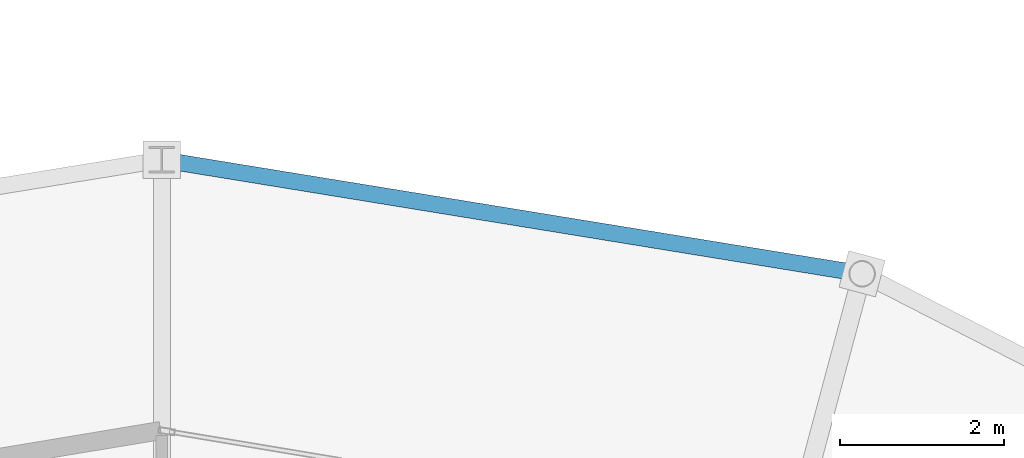
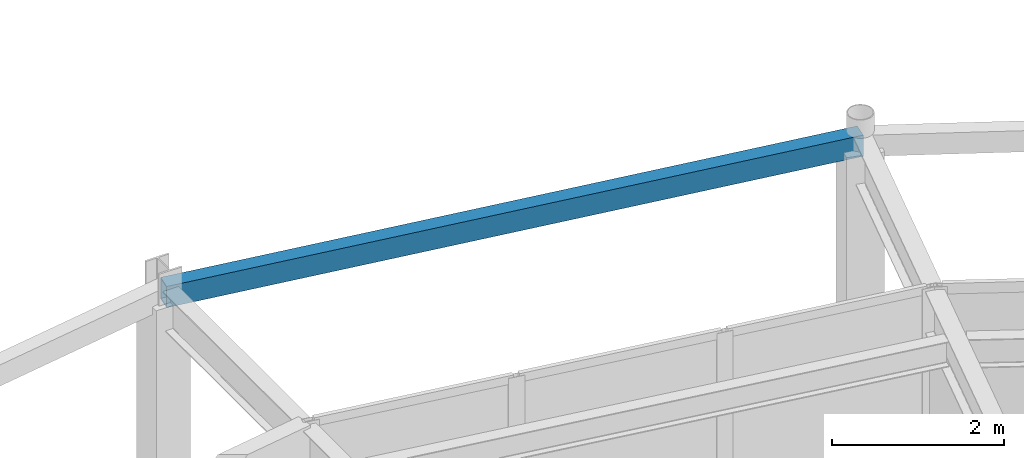
# One storey, part 90 of 144: 1 beam.
"""IFC4 building model written with IfcOpenShell, lengths in metres."""

import ifcopenshell
import ifcopenshell.guid

model = None  # the IFC model being written
_history = None  # IfcOwnerHistory: only IFC2X3 demands one
_inside = {}  # id of a spatial element -> (the spatial element, [elements in it])
_under = {}  # id of a project, library or spatial element -> (it, [spatial elements below it])
_declared = {}  # id of a project -> (the project, [libraries it declares])
_typed = {}  # id of a type object -> (the type object, [elements of that type])
_made_of = {}  # id of a material, layer set ... -> (it, [elements and type objects made of it])


def new_model(schema):
    """Start an empty IFC model of exactly this schema.

    Asked for "IFC4X3", IfcOpenShell would pick the latest addendum, in which some entities
    have other attributes; the version numbers below select the first issue.
    IFC2X3 requires an IfcOwnerHistory on every rooted entity: one is made here for all.
    """
    global model, _history
    if schema == "IFC4X3":
        model = ifcopenshell.file(schema_version=(4, 3, 0, 0))
    else:
        model = ifcopenshell.file(schema=schema)
    _inside.clear()
    _under.clear()
    _declared.clear()
    _typed.clear()
    _made_of.clear()
    _history = None
    if model.schema == "IFC2X3":
        org = make("IfcOrganization", Name="unknown")
        user = make(
            "IfcPersonAndOrganization",
            ThePerson=make("IfcPerson", FamilyName="unknown"),
            TheOrganization=org,
        )
        app = make(
            "IfcApplication",
            ApplicationDeveloper=org,
            Version="unknown",
            ApplicationFullName="unknown",
            ApplicationIdentifier="unknown",
        )
        _history = make(
            "IfcOwnerHistory",
            OwningUser=user,
            OwningApplication=app,
            ChangeAction="ADDED",
            CreationDate=0,
        )
    return model


def make(cls, **values):
    """One entity of the class cls with the attributes given. An attribute that is None is left unset."""
    return model.create_entity(
        cls, **{name: value for name, value in values.items() if value is not None}
    )


def rooted(cls, **values):
    """An entity with a GlobalId (a new one), such as an element, a storey or a relation."""
    return make(cls, GlobalId=ifcopenshell.guid.new(), OwnerHistory=_history, **values)


def si_unit(unit_type, name, prefix=None):
    """IfcSIUnit, for example si_unit("LENGTHUNIT", "METRE", prefix="MILLI")."""
    return make("IfcSIUnit", UnitType=unit_type, Prefix=prefix, Name=name)


def assignment(units):
    """IfcUnitAssignment: the units of a project."""
    return None if units is None else make("IfcUnitAssignment", Units=units)


def point(xyz):
    """IfcCartesianPoint."""
    return None if xyz is None else make("IfcCartesianPoint", Coordinates=xyz)


def direction(xyz):
    """IfcDirection."""
    return None if xyz is None else make("IfcDirection", DirectionRatios=xyz)


def frame(location, z_axis=None, x_axis=None):
    """IfcAxis2Placement3D, a coordinate frame: its origin and axes. An axis left out is left unset."""
    return make(
        "IfcAxis2Placement3D",
        Location=point(location),
        Axis=direction(z_axis),
        RefDirection=direction(x_axis),
    )


def frame_2d(location, x_axis=None):
    """IfcAxis2Placement2D, a coordinate frame in the plane: its origin and x axis."""
    return make(
        "IfcAxis2Placement2D", Location=point(location), RefDirection=direction(x_axis)
    )


def origin():
    """The frame at (0, 0, 0) with its axes left unset."""
    return frame((0.0, 0.0, 0.0))


def origin_2d():
    """The frame at (0, 0) in the plane with its x axis left unset."""
    return frame_2d((0.0, 0.0))


def place(relative_to, where):
    """IfcLocalPlacement: puts the frame where relative to a parent placement (None: the world)."""
    return make(
        "IfcLocalPlacement", PlacementRelTo=relative_to, RelativePlacement=where
    )


def context(
    kind, dimensions, precision=None, world=None, true_north=None, identifier=None
):
    """IfcGeometricRepresentationContext, for example the 3D "Model" context."""
    return make(
        "IfcGeometricRepresentationContext",
        ContextIdentifier=identifier,
        ContextType=kind,
        CoordinateSpaceDimension=dimensions,
        Precision=precision,
        WorldCoordinateSystem=world,
        TrueNorth=true_north,
    )


def subcontext(parent, identifier, kind, view, scale=None):
    """IfcGeometricRepresentationSubContext, for example "Body" below "Model"."""
    return make(
        "IfcGeometricRepresentationSubContext",
        ContextIdentifier=identifier,
        ContextType=kind,
        ParentContext=parent,
        TargetScale=scale,
        TargetView=view,
    )


def project(units=None, contexts=None):
    """IfcProject with its units and contexts."""
    return rooted(
        "IfcProject",
        Name="project",
        RepresentationContexts=contexts,
        UnitsInContext=assignment(units),
    )


def spatial(cls, under=None, at=None, **own):
    """A site, building, storey or space (cls), placed at a placement, below another one or the project."""
    s = rooted(cls, ObjectPlacement=at, **own)
    if under is not None:
        _under.setdefault(under.id(), (under, []))[1].append(s)
    return s


def profile(cls, at=None, kind="AREA", **sizes):
    """A parametric profile (cls). Its sizes go by their IFC names, for example OverallWidth=200.0."""
    return make(cls, ProfileType=kind, Position=at, **sizes)


def hollow_rectangle(**sizes):
    """IfcRectangleHollowProfileDef."""
    return profile("IfcRectangleHollowProfileDef", **sizes)


def extrude(swept, where, along, depth):
    """IfcExtrudedAreaSolid: the profile swept, set in the frame where, extruded along a direction by depth."""
    return make(
        "IfcExtrudedAreaSolid",
        SweptArea=swept,
        Position=where,
        ExtrudedDirection=direction(along),
        Depth=depth,
    )


def shape(context_of_items, identifier, shape_type, items):
    """IfcShapeRepresentation: the items that make up one representation, for example the "Body"."""
    return make(
        "IfcShapeRepresentation",
        ContextOfItems=context_of_items,
        RepresentationIdentifier=identifier,
        RepresentationType=shape_type,
        Items=items,
    )


def material(Name=None, Category=None):
    """IfcMaterial."""
    return make("IfcMaterial", Name=Name, Category=Category)


def material_profile(
    of_material, cross_section, Name=None, Category=None, Priority=None
):
    """IfcMaterialProfile: a cross section and its material."""
    return make(
        "IfcMaterialProfile",
        Name=Name,
        Material=of_material,
        Profile=cross_section,
        Priority=Priority,
        Category=Category,
    )


def profile_set(profiles, Name=None, composite=None):
    """IfcMaterialProfileSet."""
    return make(
        "IfcMaterialProfileSet",
        Name=Name,
        MaterialProfiles=profiles,
        CompositeProfile=composite,
    )


def made_of(thing, what):
    """Note that an element or type object is made of a material, layer set ...; save() writes the relation."""
    if what is not None:
        _made_of.setdefault(what.id(), (what, []))[1].append(thing)
    return thing


def type_object(cls, material=None, **own):
    """A type object (cls), such as IfcWallType, which elements share."""
    return made_of(rooted(cls, **own), material)


def element(
    cls,
    number,
    at=None,
    inside=None,
    cuts=None,
    type_object=None,
    material=None,
    context=None,
    identifier="Body",
    shape_type=None,
    held_by="IfcProductDefinitionShape",
    body=None,
    shapes=None,
    **own,
):
    """One element of the class cls, such as IfcWall. Its Tag is "e" and its number.

    at: its placement. inside: the storey or other place that contains it. cuts: it is an
    opening in that element (IfcRelVoidsElement). A single representation is given by context,
    identifier, shape_type and body (its items); several are given by shapes. held_by: the class
    of the entity that holds the representations. save() writes the other relations.
    """
    e = rooted(cls, Tag="e%d" % number, ObjectPlacement=at, **own)
    if body is not None:
        shapes = [shape(context, identifier, shape_type, body)]
    if shapes is not None:
        e.Representation = make(held_by, Representations=shapes)
    if inside is not None:
        _inside.setdefault(inside.id(), (inside, []))[1].append(e)
    if cuts is not None:
        rooted(
            "IfcRelVoidsElement", RelatingBuildingElement=cuts, RelatedOpeningElement=e
        )
    if type_object is not None:
        _typed.setdefault(type_object.id(), (type_object, []))[1].append(e)
    return made_of(e, material)


def aggregate(whole, parts):
    """IfcRelAggregates: a whole, such as a stair, and the parts it consists of."""
    return rooted("IfcRelAggregates", RelatingObject=whole, RelatedObjects=parts)


def save(model, path):
    """Write the relations noted so far, then the file.

    IfcRelAggregates (storeys below a building ...), IfcRelContainedInSpatialStructure (elements
    in a storey), IfcRelDefinesByType, IfcRelAssociatesMaterial and IfcRelDeclares: one each for
    every whole, place, type object, material and project.
    """
    for whole, parts in _under.values():
        aggregate(whole, parts)
    for where, things in _inside.values():
        rooted(
            "IfcRelContainedInSpatialStructure",
            RelatedElements=things,
            RelatingStructure=where,
        )
    for kind, things in _typed.values():
        rooted("IfcRelDefinesByType", RelatedObjects=things, RelatingType=kind)
    for what, things in _made_of.values():
        rooted("IfcRelAssociatesMaterial", RelatedObjects=things, RelatingMaterial=what)
    for by, libraries in _declared.values():
        rooted("IfcRelDeclares", RelatingContext=by, RelatedDefinitions=libraries)
    model.write(path)


model = new_model("IFC4")

# Units and contexts
model_context = context("Model", 3, precision=1e-05, world=origin(), true_north=direction((0.0, 1.0)))
body_context = subcontext(model_context, "Body", "Model", "MODEL_VIEW")
ifc_project = project(units=[si_unit("LENGTHUNIT", "METRE"), si_unit("AREAUNIT", "SQUARE_METRE"), si_unit("VOLUMEUNIT", "CUBIC_METRE"), si_unit("PLANEANGLEUNIT", "RADIAN"), si_unit("MASSUNIT", "GRAM", prefix="KILO")], contexts=[model_context])

# Site, building, storey
site_placement = place(None, origin())
site = spatial("IfcSite", under=ifc_project, at=site_placement, CompositionType="ELEMENT")
building_placement = place(site_placement, origin())
building = spatial("IfcBuilding", under=site, at=building_placement, Name="Karori Crest Natural Sciences Institute", CompositionType="ELEMENT")
storey_placement = place(building_placement, origin())
storey = spatial("IfcBuildingStorey", under=building, at=storey_placement, Name="L00", CompositionType="ELEMENT", Elevation=0.0)

# Beam
ifc_material = material(Name="Hollow structural steel AS/NZS 1163 Grade C350", Category="steel")
ifc_material_profile = material_profile(ifc_material, hollow_rectangle(XDim=0.199951171875, YDim=0.300048828125, WallThickness=0.010009765625, at=origin_2d()), Name="RHS300x200x10")
ifc_profile_set = profile_set([ifc_material_profile], Name="Hollow structural steel AS/NZS 1163 Grade C350")
beam_type = type_object("IfcBeamType", Name="BT-15", PredefinedType="SPANDREL", material=ifc_profile_set)
beam_placement = place(storey_placement, frame((74.94091796875, 89.309814453125, 4.489990234375), z_axis=(-0.987012055933, 0.160646199591, 0.0), x_axis=(-0.160646199591, -0.987012055933, 0.0)))
element("IfcBeam", 1, at=beam_placement, inside=storey, type_object=beam_type, Name="Beam B-0109", PredefinedType="SPANDREL", context=body_context, shape_type="SweptSolid", body=[
    extrude(hollow_rectangle(XDim=0.199951171875, YDim=0.300048828125, WallThickness=0.010009765625, at=origin_2d()), origin(), (0.0, 0.0, 1.0), 8.6533203125),
])

save(model, "model.ifc")
